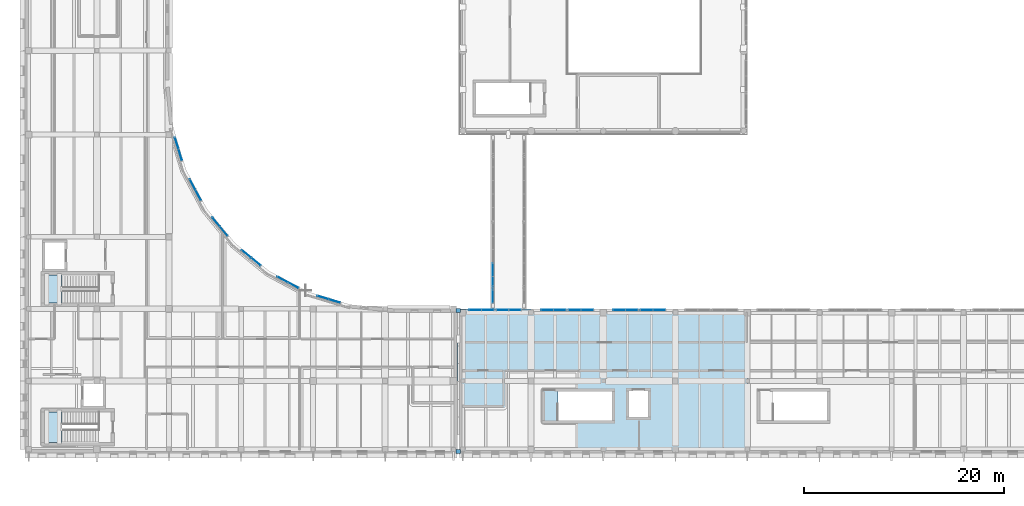
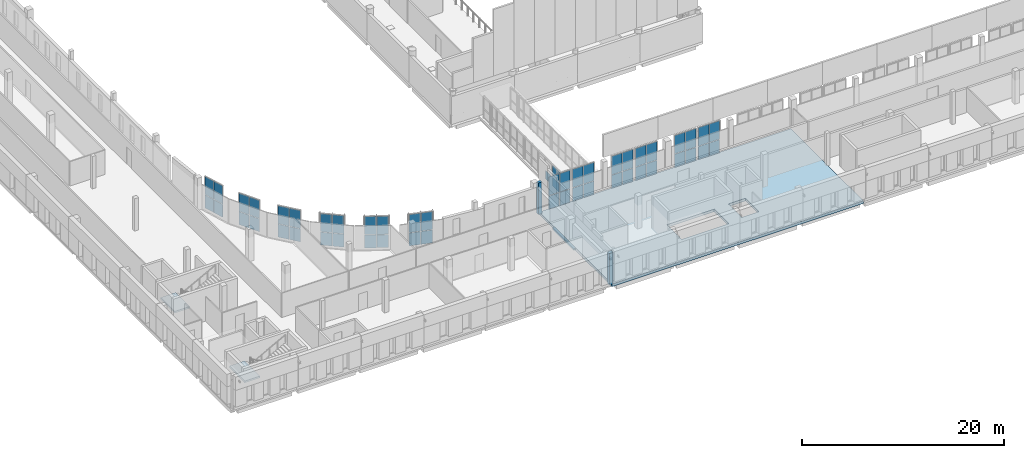
# One storey, part 38 of 76: 55 plates, 4 slabs, 15 elements without a shape of their own.
"""IFC4 building model written with IfcOpenShell, lengths in metres."""

from ifc_helpers import new_model, si_unit, direction, frame, origin, origin_2d, place, context, subcontext, project, spatial, polyline, rectangle, outline, extrude, material, layer, layer_set, type_object, element, aggregate, save


model = new_model("IFC4")

# Units and contexts
model_context = context("Model", 3, precision=1e-05, world=origin(), true_north=direction((0.0, 1.0)))
body_context = subcontext(model_context, "Body", "Model", "MODEL_VIEW")
ifc_project = project(units=[si_unit("LENGTHUNIT", "METRE"), si_unit("AREAUNIT", "SQUARE_METRE"), si_unit("VOLUMEUNIT", "CUBIC_METRE"), si_unit("PLANEANGLEUNIT", "RADIAN"), si_unit("MASSUNIT", "GRAM", prefix="KILO")], contexts=[model_context])

# Site, building, storey
site_placement = place(None, origin())
site = spatial("IfcSite", under=ifc_project, at=site_placement, CompositionType="ELEMENT")
building_placement = place(site_placement, origin())
building = spatial("IfcBuilding", under=site, at=building_placement, Name="Vardoun Plaza Health Centre", CompositionType="ELEMENT")
storey_placement = place(building_placement, frame((0.0, 0.0, 4.5)))
storey = spatial("IfcBuildingStorey", under=building, at=storey_placement, Name="L01", CompositionType="ELEMENT", Elevation=4.5)

# Curtain wall, plates
ifc_material_1 = material(Name="Aluminium Alloy EN AW-6063-T6 and Low-E Glass", Category="aluminium")
ifc_layer_1 = layer(ifc_material_1, 0.159912109375)
ifc_layer_set_1 = layer_set([ifc_layer_1], Name="Aluminium Alloy EN AW-6063-T6 and Low-E Glass")
curtain_wall_type_1 = type_object("IfcCurtainWallType", Name="CW-02", PredefinedType="USERDEFINED", material=ifc_layer_set_1)
curtain_wall_1_placement = place(storey_placement, origin())
curtain_wall_1 = element("IfcCurtainWall", 1, at=curtain_wall_1_placement, inside=storey, type_object=curtain_wall_type_1, Name="Curtain Wall CW-V2-039", ObjectType="COURTYARD_CURTAIN_WALL", PredefinedType="USERDEFINED")
ifc_material_2 = material(Name="Solar-Control Double Low-E Glazing", Category="glass")
ifc_layer_2 = layer(ifc_material_2, 0.028076171875)
ifc_layer_set_2 = layer_set([ifc_layer_2], Name="Solar-Control Double Low-E Glazing")
plate_type_1 = type_object("IfcPlateType", Name="CW-P1", PredefinedType="CURTAIN_PANEL", material=ifc_layer_set_2)
plate_1_placement = place(storey_placement, frame((19.68115234375, 35.44677734375, 0.06005859375), z_axis=(0.0, 0.0, 1.0), x_axis=(0.290300428595, -0.956935557474, 0.0)))
plate_1 = element("IfcPlate", 2, at=plate_1_placement, type_object=plate_type_1, Name="CW-V2-039 panel 1.1", PredefinedType="CURTAIN_PANEL", context=body_context, shape_type="SweptSolid", body=[
    extrude(rectangle(XDim=1.155517578125, YDim=0.028076171875, at=origin_2d()), origin(), (0.0, 0.0, 1.0), 1.556396484375),
])
plate_2_placement = place(storey_placement, frame((19.68115234375, 35.44677734375, 1.676513671875), z_axis=(0.0, 0.0, 1.0), x_axis=(0.290300428595, -0.956935557474, 0.0)))
plate_2 = element("IfcPlate", 3, at=plate_2_placement, type_object=plate_type_1, Name="CW-V2-039 panel 1.2", PredefinedType="CURTAIN_PANEL", context=body_context, shape_type="SweptSolid", body=[
    extrude(rectangle(XDim=1.155517578125, YDim=0.028076171875, at=origin_2d()), origin(), (0.0, 0.0, 1.0), 2.18359375),
])
plate_3_placement = place(storey_placement, frame((20.0341796875, 34.28369140625, 0.06005859375), z_axis=(0.0, 0.0, 1.0), x_axis=(0.290300428595, -0.956935557474, 0.0)))
plate_3 = element("IfcPlate", 4, at=plate_3_placement, type_object=plate_type_1, Name="CW-V2-039 panel 2.1", PredefinedType="CURTAIN_PANEL", context=body_context, shape_type="SweptSolid", body=[
    extrude(rectangle(XDim=1.155517578125, YDim=0.028076171875, at=origin_2d()), origin(), (0.0, 0.0, 1.0), 1.556396484375),
])
plate_4_placement = place(storey_placement, frame((20.0341796875, 34.28369140625, 1.676513671875), z_axis=(0.0, 0.0, 1.0), x_axis=(0.290300428595, -0.956935557474, 0.0)))
plate_4 = element("IfcPlate", 5, at=plate_4_placement, type_object=plate_type_1, Name="CW-V2-039 panel 2.2", PredefinedType="CURTAIN_PANEL", context=body_context, shape_type="SweptSolid", body=[
    extrude(rectangle(XDim=1.155517578125, YDim=0.028076171875, at=origin_2d()), origin(), (0.0, 0.0, 1.0), 2.18359375),
])
aggregate(curtain_wall_1, [plate_1, plate_2, plate_3, plate_4])

curtain_wall_2_placement = place(storey_placement, origin())
curtain_wall_2 = element("IfcCurtainWall", 6, at=curtain_wall_2_placement, inside=storey, type_object=curtain_wall_type_1, Name="Curtain Wall CW-V2-040", ObjectType="COURTYARD_CURTAIN_WALL", PredefinedType="USERDEFINED")
plate_5_placement = place(storey_placement, frame((21.260009765625, 31.323974609375, 0.06005859375), z_axis=(0.0, 0.0, 1.0), x_axis=(0.471394500535, -0.881922459667, 0.0)))
plate_5 = element("IfcPlate", 7, at=plate_5_placement, type_object=plate_type_1, Name="CW-V2-040 panel 1.1", PredefinedType="CURTAIN_PANEL", context=body_context, shape_type="SweptSolid", body=[
    extrude(rectangle(XDim=1.1552734375, YDim=0.028076171875, at=origin_2d()), origin(), (0.0, 0.0, 1.0), 1.556396484375),
])
plate_6_placement = place(storey_placement, frame((21.260009765625, 31.323974609375, 1.676513671875), z_axis=(0.0, 0.0, 1.0), x_axis=(0.471394500535, -0.881922459667, 0.0)))
plate_6 = element("IfcPlate", 8, at=plate_6_placement, type_object=plate_type_1, Name="CW-V2-040 panel 1.2", PredefinedType="CURTAIN_PANEL", context=body_context, shape_type="SweptSolid", body=[
    extrude(rectangle(XDim=1.1552734375, YDim=0.028076171875, at=origin_2d()), origin(), (0.0, 0.0, 1.0), 2.18359375),
])
plate_7_placement = place(storey_placement, frame((21.8330078125, 30.252197265625, 0.06005859375), z_axis=(0.0, 0.0, 1.0), x_axis=(0.471394500535, -0.881922459667, 0.0)))
plate_7 = element("IfcPlate", 9, at=plate_7_placement, type_object=plate_type_1, Name="CW-V2-040 panel 2.1", PredefinedType="CURTAIN_PANEL", context=body_context, shape_type="SweptSolid", body=[
    extrude(rectangle(XDim=1.1552734375, YDim=0.028076171875, at=origin_2d()), origin(), (0.0, 0.0, 1.0), 1.556396484375),
])
plate_8_placement = place(storey_placement, frame((21.8330078125, 30.252197265625, 1.676513671875), z_axis=(0.0, 0.0, 1.0), x_axis=(0.471394500535, -0.881922459667, 0.0)))
plate_8 = element("IfcPlate", 10, at=plate_8_placement, type_object=plate_type_1, Name="CW-V2-040 panel 2.2", PredefinedType="CURTAIN_PANEL", context=body_context, shape_type="SweptSolid", body=[
    extrude(rectangle(XDim=1.1552734375, YDim=0.028076171875, at=origin_2d()), origin(), (0.0, 0.0, 1.0), 2.18359375),
])
aggregate(curtain_wall_2, [plate_5, plate_6, plate_7, plate_8])

curtain_wall_3_placement = place(storey_placement, origin())
curtain_wall_3 = element("IfcCurtainWall", 11, at=curtain_wall_3_placement, inside=storey, type_object=curtain_wall_type_1, Name="Curtain Wall CW-V2-041", ObjectType="COURTYARD_CURTAIN_WALL", PredefinedType="USERDEFINED")
plate_9_placement = place(storey_placement, frame((23.61279296875, 27.588623046875, 0.06005859375), z_axis=(0.0, 0.0, 1.0), x_axis=(0.634384900919, -0.773017333238, 0.0)))
plate_9 = element("IfcPlate", 12, at=plate_9_placement, type_object=plate_type_1, Name="CW-V2-041 panel 1.1", PredefinedType="CURTAIN_PANEL", context=body_context, shape_type="SweptSolid", body=[
    extrude(rectangle(XDim=1.1552734375, YDim=0.028076171875, at=origin_2d()), origin(), (0.0, 0.0, 1.0), 1.556396484375),
])
plate_10_placement = place(storey_placement, frame((23.61279296875, 27.588623046875, 1.676513671875), z_axis=(0.0, 0.0, 1.0), x_axis=(0.634384900919, -0.773017333238, 0.0)))
plate_10 = element("IfcPlate", 13, at=plate_10_placement, type_object=plate_type_1, Name="CW-V2-041 panel 1.2", PredefinedType="CURTAIN_PANEL", context=body_context, shape_type="SweptSolid", body=[
    extrude(rectangle(XDim=1.1552734375, YDim=0.028076171875, at=origin_2d()), origin(), (0.0, 0.0, 1.0), 2.18359375),
])
plate_11_placement = place(storey_placement, frame((24.3837890625, 26.64892578125, 0.06005859375), z_axis=(0.0, 0.0, 1.0), x_axis=(0.634384900919, -0.773017333238, 0.0)))
plate_11 = element("IfcPlate", 14, at=plate_11_placement, type_object=plate_type_1, Name="CW-V2-041 panel 2.1", PredefinedType="CURTAIN_PANEL", context=body_context, shape_type="SweptSolid", body=[
    extrude(rectangle(XDim=1.1552734375, YDim=0.028076171875, at=origin_2d()), origin(), (0.0, 0.0, 1.0), 1.556396484375),
])
plate_12_placement = place(storey_placement, frame((24.3837890625, 26.64892578125, 1.676513671875), z_axis=(0.0, 0.0, 1.0), x_axis=(0.634384900919, -0.773017333238, 0.0)))
plate_12 = element("IfcPlate", 15, at=plate_12_placement, type_object=plate_type_1, Name="CW-V2-041 panel 2.2", PredefinedType="CURTAIN_PANEL", context=body_context, shape_type="SweptSolid", body=[
    extrude(rectangle(XDim=1.1552734375, YDim=0.028076171875, at=origin_2d()), origin(), (0.0, 0.0, 1.0), 2.18359375),
])
aggregate(curtain_wall_3, [plate_9, plate_10, plate_11, plate_12])

curtain_wall_4_placement = place(storey_placement, origin())
curtain_wall_4 = element("IfcCurtainWall", 16, at=curtain_wall_4_placement, inside=storey, type_object=curtain_wall_type_1, Name="Curtain Wall CW-V2-042", ObjectType="COURTYARD_CURTAIN_WALL", PredefinedType="USERDEFINED")
plate_13_placement = place(storey_placement, frame((26.64892578125, 24.3837890625, 0.06005859375), z_axis=(0.0, 0.0, 1.0), x_axis=(0.773017333238, -0.634384900919, 0.0)))
plate_13 = element("IfcPlate", 17, at=plate_13_placement, type_object=plate_type_1, Name="CW-V2-042 panel 1.1", PredefinedType="CURTAIN_PANEL", context=body_context, shape_type="SweptSolid", body=[
    extrude(rectangle(XDim=1.1552734375, YDim=0.028076171875, at=origin_2d()), origin(), (0.0, 0.0, 1.0), 1.556396484375),
])
plate_14_placement = place(storey_placement, frame((26.64892578125, 24.3837890625, 1.676513671875), z_axis=(0.0, 0.0, 1.0), x_axis=(0.773017333238, -0.634384900919, 0.0)))
plate_14 = element("IfcPlate", 18, at=plate_14_placement, type_object=plate_type_1, Name="CW-V2-042 panel 1.2", PredefinedType="CURTAIN_PANEL", context=body_context, shape_type="SweptSolid", body=[
    extrude(rectangle(XDim=1.1552734375, YDim=0.028076171875, at=origin_2d()), origin(), (0.0, 0.0, 1.0), 2.18359375),
])
plate_15_placement = place(storey_placement, frame((27.588623046875, 23.61279296875, 0.06005859375), z_axis=(0.0, 0.0, 1.0), x_axis=(0.773017333238, -0.634384900919, 0.0)))
plate_15 = element("IfcPlate", 19, at=plate_15_placement, type_object=plate_type_1, Name="CW-V2-042 panel 2.1", PredefinedType="CURTAIN_PANEL", context=body_context, shape_type="SweptSolid", body=[
    extrude(rectangle(XDim=1.1552734375, YDim=0.028076171875, at=origin_2d()), origin(), (0.0, 0.0, 1.0), 1.556396484375),
])
plate_16_placement = place(storey_placement, frame((27.588623046875, 23.61279296875, 1.676513671875), z_axis=(0.0, 0.0, 1.0), x_axis=(0.773017333238, -0.634384900919, 0.0)))
plate_16 = element("IfcPlate", 20, at=plate_16_placement, type_object=plate_type_1, Name="CW-V2-042 panel 2.2", PredefinedType="CURTAIN_PANEL", context=body_context, shape_type="SweptSolid", body=[
    extrude(rectangle(XDim=1.1552734375, YDim=0.028076171875, at=origin_2d()), origin(), (0.0, 0.0, 1.0), 2.18359375),
])
aggregate(curtain_wall_4, [plate_13, plate_14, plate_15, plate_16])

curtain_wall_5_placement = place(storey_placement, origin())
curtain_wall_5 = element("IfcCurtainWall", 21, at=curtain_wall_5_placement, inside=storey, type_object=curtain_wall_type_1, Name="Curtain Wall CW-V2-043", ObjectType="COURTYARD_CURTAIN_WALL", PredefinedType="USERDEFINED")
plate_17_placement = place(storey_placement, frame((30.252197265625, 21.8330078125, 0.06005859375), z_axis=(0.0, 0.0, 1.0), x_axis=(0.881922459667, -0.471394500535, 0.0)))
plate_17 = element("IfcPlate", 22, at=plate_17_placement, type_object=plate_type_1, Name="CW-V2-043 panel 1.1", PredefinedType="CURTAIN_PANEL", context=body_context, shape_type="SweptSolid", body=[
    extrude(rectangle(XDim=1.1552734375, YDim=0.028076171875, at=origin_2d()), origin(), (0.0, 0.0, 1.0), 1.556396484375),
])
plate_18_placement = place(storey_placement, frame((30.252197265625, 21.8330078125, 1.676513671875), z_axis=(0.0, 0.0, 1.0), x_axis=(0.881922459667, -0.471394500535, 0.0)))
plate_18 = element("IfcPlate", 23, at=plate_18_placement, type_object=plate_type_1, Name="CW-V2-043 panel 1.2", PredefinedType="CURTAIN_PANEL", context=body_context, shape_type="SweptSolid", body=[
    extrude(rectangle(XDim=1.1552734375, YDim=0.028076171875, at=origin_2d()), origin(), (0.0, 0.0, 1.0), 2.18359375),
])
plate_19_placement = place(storey_placement, frame((31.323974609375, 21.260009765625, 0.06005859375), z_axis=(0.0, 0.0, 1.0), x_axis=(0.881922459667, -0.471394500535, 0.0)))
plate_19 = element("IfcPlate", 24, at=plate_19_placement, type_object=plate_type_1, Name="CW-V2-043 panel 2.1", PredefinedType="CURTAIN_PANEL", context=body_context, shape_type="SweptSolid", body=[
    extrude(rectangle(XDim=1.1552734375, YDim=0.028076171875, at=origin_2d()), origin(), (0.0, 0.0, 1.0), 1.556396484375),
])
plate_20_placement = place(storey_placement, frame((31.323974609375, 21.260009765625, 1.676513671875), z_axis=(0.0, 0.0, 1.0), x_axis=(0.881922459667, -0.471394500535, 0.0)))
plate_20 = element("IfcPlate", 25, at=plate_20_placement, type_object=plate_type_1, Name="CW-V2-043 panel 2.2", PredefinedType="CURTAIN_PANEL", context=body_context, shape_type="SweptSolid", body=[
    extrude(rectangle(XDim=1.1552734375, YDim=0.028076171875, at=origin_2d()), origin(), (0.0, 0.0, 1.0), 2.18359375),
])
aggregate(curtain_wall_5, [plate_17, plate_18, plate_19, plate_20])

curtain_wall_6_placement = place(storey_placement, origin())
curtain_wall_6 = element("IfcCurtainWall", 26, at=curtain_wall_6_placement, inside=storey, type_object=curtain_wall_type_1, Name="Curtain Wall CW-V2-044", ObjectType="COURTYARD_CURTAIN_WALL", PredefinedType="USERDEFINED")
plate_21_placement = place(storey_placement, frame((34.28369140625, 20.0341796875, 0.06005859375), z_axis=(0.0, 0.0, 1.0), x_axis=(0.956935557474, -0.290300428595, 0.0)))
plate_21 = element("IfcPlate", 27, at=plate_21_placement, type_object=plate_type_1, Name="CW-V2-044 panel 1.1", PredefinedType="CURTAIN_PANEL", context=body_context, shape_type="SweptSolid", body=[
    extrude(rectangle(XDim=1.155517578125, YDim=0.028076171875, at=origin_2d()), origin(), (0.0, 0.0, 1.0), 1.556396484375),
])
plate_22_placement = place(storey_placement, frame((34.28369140625, 20.0341796875, 1.676513671875), z_axis=(0.0, 0.0, 1.0), x_axis=(0.956935557474, -0.290300428595, 0.0)))
plate_22 = element("IfcPlate", 28, at=plate_22_placement, type_object=plate_type_1, Name="CW-V2-044 panel 1.2", PredefinedType="CURTAIN_PANEL", context=body_context, shape_type="SweptSolid", body=[
    extrude(rectangle(XDim=1.155517578125, YDim=0.028076171875, at=origin_2d()), origin(), (0.0, 0.0, 1.0), 2.18359375),
])
plate_23_placement = place(storey_placement, frame((35.44677734375, 19.68115234375, 0.06005859375), z_axis=(0.0, 0.0, 1.0), x_axis=(0.956935557474, -0.290300428595, 0.0)))
plate_23 = element("IfcPlate", 29, at=plate_23_placement, type_object=plate_type_1, Name="CW-V2-044 panel 2.1", PredefinedType="CURTAIN_PANEL", context=body_context, shape_type="SweptSolid", body=[
    extrude(rectangle(XDim=1.155517578125, YDim=0.028076171875, at=origin_2d()), origin(), (0.0, 0.0, 1.0), 1.556396484375),
])
plate_24_placement = place(storey_placement, frame((35.44677734375, 19.68115234375, 1.676513671875), z_axis=(0.0, 0.0, 1.0), x_axis=(0.956935557474, -0.290300428595, 0.0)))
plate_24 = element("IfcPlate", 30, at=plate_24_placement, type_object=plate_type_1, Name="CW-V2-044 panel 2.2", PredefinedType="CURTAIN_PANEL", context=body_context, shape_type="SweptSolid", body=[
    extrude(rectangle(XDim=1.155517578125, YDim=0.028076171875, at=origin_2d()), origin(), (0.0, 0.0, 1.0), 2.18359375),
])
aggregate(curtain_wall_6, [plate_21, plate_22, plate_23, plate_24])

ifc_material_3 = material(Name="Aluminium Alloy EN AW-6063-T6 and Low-E Glass", Category="aluminium")
ifc_layer_3 = layer(ifc_material_3, 0.14990234375)
ifc_layer_set_3 = layer_set([ifc_layer_3], Name="Aluminium Alloy EN AW-6063-T6 and Low-E Glass")
curtain_wall_type_2 = type_object("IfcCurtainWallType", Name="CW-03", PredefinedType="NOTDEFINED", material=ifc_layer_set_3)
curtain_wall_7_placement = place(storey_placement, origin())
curtain_wall_7 = element("IfcCurtainWall", 31, at=curtain_wall_7_placement, inside=storey, type_object=curtain_wall_type_2, Name="Curtain Wall CW-V4-117", PredefinedType="NOTDEFINED")
plate_25_placement = place(storey_placement, frame((49.4951171875, 18.780029296875, 0.06005859375), z_axis=(0.0, 0.0, 1.0), x_axis=(1.0, 0.0, 0.0)))
plate_25 = element("IfcPlate", 32, at=plate_25_placement, type_object=plate_type_1, Name="CW-V4-117 panel 1.1", PredefinedType="CURTAIN_PANEL", context=body_context, shape_type="SweptSolid", body=[
    extrude(rectangle(XDim=1.18994140625, YDim=0.028076171875, at=origin_2d()), origin(), (0.0, 0.0, 1.0), 1.587890625),
])
plate_26_placement = place(storey_placement, frame((49.4951171875, 18.780029296875, 1.7080078125), z_axis=(0.0, 0.0, 1.0), x_axis=(1.0, 0.0, 0.0)))
plate_26 = element("IfcPlate", 33, at=plate_26_placement, type_object=plate_type_1, Name="CW-V4-117 panel 1.2", PredefinedType="CURTAIN_PANEL", context=body_context, shape_type="SweptSolid", body=[
    extrude(rectangle(XDim=1.18994140625, YDim=0.028076171875, at=origin_2d()), origin(), (0.0, 0.0, 1.0), 2.22705078125),
])
plate_27_placement = place(storey_placement, frame((50.7451171875, 18.780029296875, 0.06005859375), z_axis=(0.0, 0.0, 1.0), x_axis=(1.0, 0.0, 0.0)))
plate_27 = element("IfcPlate", 34, at=plate_27_placement, type_object=plate_type_1, Name="CW-V4-117 panel 2.1", PredefinedType="CURTAIN_PANEL", context=body_context, shape_type="SweptSolid", body=[
    extrude(rectangle(XDim=1.18994140625, YDim=0.028076171875, at=origin_2d()), origin(), (0.0, 0.0, 1.0), 1.587890625),
])
plate_28_placement = place(storey_placement, frame((50.7451171875, 18.780029296875, 1.7080078125), z_axis=(0.0, 0.0, 1.0), x_axis=(1.0, 0.0, 0.0)))
plate_28 = element("IfcPlate", 35, at=plate_28_placement, type_object=plate_type_1, Name="CW-V4-117 panel 2.2", PredefinedType="CURTAIN_PANEL", context=body_context, shape_type="SweptSolid", body=[
    extrude(rectangle(XDim=1.18994140625, YDim=0.028076171875, at=origin_2d()), origin(), (0.0, 0.0, 1.0), 2.22705078125),
])
aggregate(curtain_wall_7, [plate_25, plate_26, plate_27, plate_28])

curtain_wall_8_placement = place(storey_placement, origin())
curtain_wall_8 = element("IfcCurtainWall", 36, at=curtain_wall_8_placement, inside=storey, type_object=curtain_wall_type_2, Name="Curtain Wall CW-V4-118", PredefinedType="NOTDEFINED")
plate_29_placement = place(storey_placement, frame((52.215087890625, 18.780029296875, 0.06005859375), z_axis=(0.0, 0.0, 1.0), x_axis=(1.0, 0.0, 0.0)))
plate_29 = element("IfcPlate", 37, at=plate_29_placement, type_object=plate_type_1, Name="CW-V4-118 panel 1.1", PredefinedType="CURTAIN_PANEL", context=body_context, shape_type="SweptSolid", body=[
    extrude(rectangle(XDim=1.18994140625, YDim=0.028076171875, at=origin_2d()), origin(), (0.0, 0.0, 1.0), 1.587890625),
])
plate_30_placement = place(storey_placement, frame((52.215087890625, 18.780029296875, 1.7080078125), z_axis=(0.0, 0.0, 1.0), x_axis=(1.0, 0.0, 0.0)))
plate_30 = element("IfcPlate", 38, at=plate_30_placement, type_object=plate_type_1, Name="CW-V4-118 panel 1.2", PredefinedType="CURTAIN_PANEL", context=body_context, shape_type="SweptSolid", body=[
    extrude(rectangle(XDim=1.18994140625, YDim=0.028076171875, at=origin_2d()), origin(), (0.0, 0.0, 1.0), 2.22705078125),
])
plate_31_placement = place(storey_placement, frame((53.465087890625, 18.780029296875, 0.06005859375), z_axis=(0.0, 0.0, 1.0), x_axis=(1.0, 0.0, 0.0)))
plate_31 = element("IfcPlate", 39, at=plate_31_placement, type_object=plate_type_1, Name="CW-V4-118 panel 2.1", PredefinedType="CURTAIN_PANEL", context=body_context, shape_type="SweptSolid", body=[
    extrude(rectangle(XDim=1.18994140625, YDim=0.028076171875, at=origin_2d()), origin(), (0.0, 0.0, 1.0), 1.587890625),
])
plate_32_placement = place(storey_placement, frame((53.465087890625, 18.780029296875, 1.7080078125), z_axis=(0.0, 0.0, 1.0), x_axis=(1.0, 0.0, 0.0)))
plate_32 = element("IfcPlate", 40, at=plate_32_placement, type_object=plate_type_1, Name="CW-V4-118 panel 2.2", PredefinedType="CURTAIN_PANEL", context=body_context, shape_type="SweptSolid", body=[
    extrude(rectangle(XDim=1.18994140625, YDim=0.028076171875, at=origin_2d()), origin(), (0.0, 0.0, 1.0), 2.22705078125),
])
aggregate(curtain_wall_8, [plate_29, plate_30, plate_31, plate_32])

curtain_wall_9_placement = place(storey_placement, origin())
curtain_wall_9 = element("IfcCurtainWall", 41, at=curtain_wall_9_placement, inside=storey, type_object=curtain_wall_type_2, Name="Curtain Wall CW-V4-119", PredefinedType="NOTDEFINED")
plate_33_placement = place(storey_placement, frame((56.695068359375, 18.780029296875, 0.06005859375), z_axis=(0.0, 0.0, 1.0), x_axis=(1.0, 0.0, 0.0)))
plate_33 = element("IfcPlate", 42, at=plate_33_placement, type_object=plate_type_1, Name="CW-V4-119 panel 1.1", PredefinedType="CURTAIN_PANEL", context=body_context, shape_type="SweptSolid", body=[
    extrude(rectangle(XDim=1.18994140625, YDim=0.028076171875, at=origin_2d()), origin(), (0.0, 0.0, 1.0), 1.587890625),
])
plate_34_placement = place(storey_placement, frame((56.695068359375, 18.780029296875, 1.7080078125), z_axis=(0.0, 0.0, 1.0), x_axis=(1.0, 0.0, 0.0)))
plate_34 = element("IfcPlate", 43, at=plate_34_placement, type_object=plate_type_1, Name="CW-V4-119 panel 1.2", PredefinedType="CURTAIN_PANEL", context=body_context, shape_type="SweptSolid", body=[
    extrude(rectangle(XDim=1.18994140625, YDim=0.028076171875, at=origin_2d()), origin(), (0.0, 0.0, 1.0), 2.22705078125),
])
plate_35_placement = place(storey_placement, frame((57.945068359375, 18.780029296875, 0.06005859375), z_axis=(0.0, 0.0, 1.0), x_axis=(1.0, 0.0, 0.0)))
plate_35 = element("IfcPlate", 44, at=plate_35_placement, type_object=plate_type_1, Name="CW-V4-119 panel 2.1", PredefinedType="CURTAIN_PANEL", context=body_context, shape_type="SweptSolid", body=[
    extrude(rectangle(XDim=1.18994140625, YDim=0.028076171875, at=origin_2d()), origin(), (0.0, 0.0, 1.0), 1.587890625),
])
plate_36_placement = place(storey_placement, frame((57.945068359375, 18.780029296875, 1.7080078125), z_axis=(0.0, 0.0, 1.0), x_axis=(1.0, 0.0, 0.0)))
plate_36 = element("IfcPlate", 45, at=plate_36_placement, type_object=plate_type_1, Name="CW-V4-119 panel 2.2", PredefinedType="CURTAIN_PANEL", context=body_context, shape_type="SweptSolid", body=[
    extrude(rectangle(XDim=1.18994140625, YDim=0.028076171875, at=origin_2d()), origin(), (0.0, 0.0, 1.0), 2.22705078125),
])
aggregate(curtain_wall_9, [plate_33, plate_34, plate_35, plate_36])

curtain_wall_10_placement = place(storey_placement, origin())
curtain_wall_10 = element("IfcCurtainWall", 46, at=curtain_wall_10_placement, inside=storey, type_object=curtain_wall_type_2, Name="Curtain Wall CW-V4-120", PredefinedType="NOTDEFINED")
plate_37_placement = place(storey_placement, frame((59.4150390625, 18.780029296875, 0.06005859375), z_axis=(0.0, 0.0, 1.0), x_axis=(1.0, 0.0, 0.0)))
plate_37 = element("IfcPlate", 47, at=plate_37_placement, type_object=plate_type_1, Name="CW-V4-120 panel 1.1", PredefinedType="CURTAIN_PANEL", context=body_context, shape_type="SweptSolid", body=[
    extrude(rectangle(XDim=1.18994140625, YDim=0.028076171875, at=origin_2d()), origin(), (0.0, 0.0, 1.0), 1.587890625),
])
plate_38_placement = place(storey_placement, frame((59.4150390625, 18.780029296875, 1.7080078125), z_axis=(0.0, 0.0, 1.0), x_axis=(1.0, 0.0, 0.0)))
plate_38 = element("IfcPlate", 48, at=plate_38_placement, type_object=plate_type_1, Name="CW-V4-120 panel 1.2", PredefinedType="CURTAIN_PANEL", context=body_context, shape_type="SweptSolid", body=[
    extrude(rectangle(XDim=1.18994140625, YDim=0.028076171875, at=origin_2d()), origin(), (0.0, 0.0, 1.0), 2.22705078125),
])
plate_39_placement = place(storey_placement, frame((60.6650390625, 18.780029296875, 0.06005859375), z_axis=(0.0, 0.0, 1.0), x_axis=(1.0, 0.0, 0.0)))
plate_39 = element("IfcPlate", 49, at=plate_39_placement, type_object=plate_type_1, Name="CW-V4-120 panel 2.1", PredefinedType="CURTAIN_PANEL", context=body_context, shape_type="SweptSolid", body=[
    extrude(rectangle(XDim=1.18994140625, YDim=0.028076171875, at=origin_2d()), origin(), (0.0, 0.0, 1.0), 1.587890625),
])
plate_40_placement = place(storey_placement, frame((60.6650390625, 18.780029296875, 1.7080078125), z_axis=(0.0, 0.0, 1.0), x_axis=(1.0, 0.0, 0.0)))
plate_40 = element("IfcPlate", 50, at=plate_40_placement, type_object=plate_type_1, Name="CW-V4-120 panel 2.2", PredefinedType="CURTAIN_PANEL", context=body_context, shape_type="SweptSolid", body=[
    extrude(rectangle(XDim=1.18994140625, YDim=0.028076171875, at=origin_2d()), origin(), (0.0, 0.0, 1.0), 2.22705078125),
])
aggregate(curtain_wall_10, [plate_37, plate_38, plate_39, plate_40])

curtain_wall_11_placement = place(storey_placement, origin())
curtain_wall_11 = element("IfcCurtainWall", 51, at=curtain_wall_11_placement, inside=storey, type_object=curtain_wall_type_2, Name="Curtain Wall CW-V4-121", PredefinedType="NOTDEFINED")
plate_41_placement = place(storey_placement, frame((63.89501953125, 18.780029296875, 0.06005859375), z_axis=(0.0, 0.0, 1.0), x_axis=(1.0, 0.0, 0.0)))
plate_41 = element("IfcPlate", 52, at=plate_41_placement, type_object=plate_type_1, Name="CW-V4-121 panel 1.1", PredefinedType="CURTAIN_PANEL", context=body_context, shape_type="SweptSolid", body=[
    extrude(rectangle(XDim=1.18994140625, YDim=0.028076171875, at=origin_2d()), origin(), (0.0, 0.0, 1.0), 1.587890625),
])
plate_42_placement = place(storey_placement, frame((63.89501953125, 18.780029296875, 1.7080078125), z_axis=(0.0, 0.0, 1.0), x_axis=(1.0, 0.0, 0.0)))
plate_42 = element("IfcPlate", 53, at=plate_42_placement, type_object=plate_type_1, Name="CW-V4-121 panel 1.2", PredefinedType="CURTAIN_PANEL", context=body_context, shape_type="SweptSolid", body=[
    extrude(rectangle(XDim=1.18994140625, YDim=0.028076171875, at=origin_2d()), origin(), (0.0, 0.0, 1.0), 2.22705078125),
])
plate_43_placement = place(storey_placement, frame((65.14501953125, 18.780029296875, 0.06005859375), z_axis=(0.0, 0.0, 1.0), x_axis=(1.0, 0.0, 0.0)))
plate_43 = element("IfcPlate", 54, at=plate_43_placement, type_object=plate_type_1, Name="CW-V4-121 panel 2.1", PredefinedType="CURTAIN_PANEL", context=body_context, shape_type="SweptSolid", body=[
    extrude(rectangle(XDim=1.18994140625, YDim=0.028076171875, at=origin_2d()), origin(), (0.0, 0.0, 1.0), 1.587890625),
])
plate_44_placement = place(storey_placement, frame((65.14501953125, 18.780029296875, 1.7080078125), z_axis=(0.0, 0.0, 1.0), x_axis=(1.0, 0.0, 0.0)))
plate_44 = element("IfcPlate", 55, at=plate_44_placement, type_object=plate_type_1, Name="CW-V4-121 panel 2.2", PredefinedType="CURTAIN_PANEL", context=body_context, shape_type="SweptSolid", body=[
    extrude(rectangle(XDim=1.18994140625, YDim=0.028076171875, at=origin_2d()), origin(), (0.0, 0.0, 1.0), 2.22705078125),
])
aggregate(curtain_wall_11, [plate_41, plate_42, plate_43, plate_44])

curtain_wall_12_placement = place(storey_placement, origin())
curtain_wall_12 = element("IfcCurtainWall", 56, at=curtain_wall_12_placement, inside=storey, type_object=curtain_wall_type_2, Name="Curtain Wall CW-V4-122", PredefinedType="NOTDEFINED")
plate_45_placement = place(storey_placement, frame((66.614990234375, 18.780029296875, 0.06005859375), z_axis=(0.0, 0.0, 1.0), x_axis=(1.0, 0.0, 0.0)))
plate_45 = element("IfcPlate", 57, at=plate_45_placement, type_object=plate_type_1, Name="CW-V4-122 panel 1.1", PredefinedType="CURTAIN_PANEL", context=body_context, shape_type="SweptSolid", body=[
    extrude(rectangle(XDim=1.18994140625, YDim=0.028076171875, at=origin_2d()), origin(), (0.0, 0.0, 1.0), 1.587890625),
])
plate_46_placement = place(storey_placement, frame((66.614990234375, 18.780029296875, 1.7080078125), z_axis=(0.0, 0.0, 1.0), x_axis=(1.0, 0.0, 0.0)))
plate_46 = element("IfcPlate", 58, at=plate_46_placement, type_object=plate_type_1, Name="CW-V4-122 panel 1.2", PredefinedType="CURTAIN_PANEL", context=body_context, shape_type="SweptSolid", body=[
    extrude(rectangle(XDim=1.18994140625, YDim=0.028076171875, at=origin_2d()), origin(), (0.0, 0.0, 1.0), 2.22705078125),
])
plate_47_placement = place(storey_placement, frame((67.864990234375, 18.780029296875, 0.06005859375), z_axis=(0.0, 0.0, 1.0), x_axis=(1.0, 0.0, 0.0)))
plate_47 = element("IfcPlate", 59, at=plate_47_placement, type_object=plate_type_1, Name="CW-V4-122 panel 2.1", PredefinedType="CURTAIN_PANEL", context=body_context, shape_type="SweptSolid", body=[
    extrude(rectangle(XDim=1.18994140625, YDim=0.028076171875, at=origin_2d()), origin(), (0.0, 0.0, 1.0), 1.587890625),
])
plate_48_placement = place(storey_placement, frame((67.864990234375, 18.780029296875, 1.7080078125), z_axis=(0.0, 0.0, 1.0), x_axis=(1.0, 0.0, 0.0)))
plate_48 = element("IfcPlate", 60, at=plate_48_placement, type_object=plate_type_1, Name="CW-V4-122 panel 2.2", PredefinedType="CURTAIN_PANEL", context=body_context, shape_type="SweptSolid", body=[
    extrude(rectangle(XDim=1.18994140625, YDim=0.028076171875, at=origin_2d()), origin(), (0.0, 0.0, 1.0), 2.22705078125),
])
aggregate(curtain_wall_12, [plate_45, plate_46, plate_47, plate_48])

curtain_wall_13_placement = place(storey_placement, origin())
curtain_wall_13 = element("IfcCurtainWall", 61, at=curtain_wall_13_placement, inside=storey, type_object=curtain_wall_type_2, Name="Curtain Wall CW-BR-6WS", PredefinedType="NOTDEFINED")
plate_49_placement = place(storey_placement, frame((51.25, 20.1357421875, 0.06005859375), z_axis=(0.0, 0.0, 1.0), x_axis=(0.0, 1.0, 0.0)))
plate_49 = element("IfcPlate", 62, at=plate_49_placement, type_object=plate_type_1, Name="CW-BR-6WS panel 1.1", PredefinedType="CURTAIN_PANEL", context=body_context, shape_type="SweptSolid", body=[
    extrude(rectangle(XDim=1.251708984375, YDim=0.028076171875, at=origin_2d()), origin(), (0.0, 0.0, 1.0), 1.02294921875),
])
plate_50_placement = place(storey_placement, frame((51.25, 20.1357421875, 1.14306640625), z_axis=(0.0, 0.0, 1.0), x_axis=(0.0, 1.0, 0.0)))
plate_50 = element("IfcPlate", 63, at=plate_50_placement, type_object=plate_type_1, Name="CW-BR-6WS panel 1.2", PredefinedType="CURTAIN_PANEL", context=body_context, shape_type="SweptSolid", body=[
    extrude(rectangle(XDim=1.251708984375, YDim=0.028076171875, at=origin_2d()), origin(), (0.0, 0.0, 1.0), 1.447021484375),
])
plate_51_placement = place(storey_placement, frame((51.25, 21.46240234375, 0.06005859375), z_axis=(0.0, 0.0, 1.0), x_axis=(0.0, 1.0, 0.0)))
plate_51 = element("IfcPlate", 64, at=plate_51_placement, type_object=plate_type_1, Name="CW-BR-6WS panel 2.1", PredefinedType="CURTAIN_PANEL", context=body_context, shape_type="SweptSolid", body=[
    extrude(rectangle(XDim=1.28173828125, YDim=0.028076171875, at=origin_2d()), origin(), (0.0, 0.0, 1.0), 1.02294921875),
])
plate_52_placement = place(storey_placement, frame((51.25, 21.46240234375, 1.14306640625), z_axis=(0.0, 0.0, 1.0), x_axis=(0.0, 1.0, 0.0)))
plate_52 = element("IfcPlate", 65, at=plate_52_placement, type_object=plate_type_1, Name="CW-BR-6WS panel 2.2", PredefinedType="CURTAIN_PANEL", context=body_context, shape_type="SweptSolid", body=[
    extrude(rectangle(XDim=1.28173828125, YDim=0.028076171875, at=origin_2d()), origin(), (0.0, 0.0, 1.0), 1.447021484375),
])
plate_53_placement = place(storey_placement, frame((51.25, 22.80419921875, 0.06005859375), z_axis=(0.0, 0.0, 1.0), x_axis=(0.0, 1.0, 0.0)))
plate_53 = element("IfcPlate", 66, at=plate_53_placement, type_object=plate_type_1, Name="CW-BR-6WS panel 3.1", PredefinedType="CURTAIN_PANEL", context=body_context, shape_type="SweptSolid", body=[
    extrude(rectangle(XDim=1.28173828125, YDim=0.028076171875, at=origin_2d()), origin(), (0.0, 0.0, 1.0), 1.02294921875),
])
aggregate(curtain_wall_13, [plate_49, plate_50, plate_51, plate_52, plate_53])

# Stair, slab
ifc_material_4 = material(Name="Concrete C35/45", Category="concrete")
stair_type = type_object("IfcStairType", Name="ST-01", PredefinedType="HALF_TURN_STAIR", material=ifc_material_4)
stair_1_placement = place(storey_placement, origin())
stair_1 = element("IfcStair", 67, at=stair_1_placement, inside=storey, type_object=stair_type, Name="Core C1 L01 Exit Stair ST-C1-L01", PredefinedType="HALF_TURN_STAIR")
ifc_material_5 = material(Name="Concrete C35/45", Category="concrete")
ifc_layer_4 = layer(ifc_material_5, 0.199951171875)
ifc_layer_set_4 = layer_set([ifc_layer_4], Name="Concrete C35/45")
slab_type_1 = type_object("IfcSlabType", Name="SL-LD", PredefinedType="LANDING", material=ifc_layer_set_4)
slab_1_placement = place(storey_placement, frame((0.0, 0.0, 1.89990234375)))
slab_1 = element("IfcSlab", 68, at=slab_1_placement, type_object=slab_type_1, Name="ST-C1-L01 landing 1", PredefinedType="LANDING", context=body_context, shape_type="SweptSolid", body=[
    extrude(outline(polyline([(6.47509765625, 5.574951171875), (8.210693359375, 5.574951171875), (8.210693359375, 8.625), (6.47509765625, 8.625), (6.47509765625, 5.574951171875)])), origin(), (0.0, 0.0, 1.0), 0.2001953125),
])
aggregate(stair_1, [slab_1])

stair_2_placement = place(storey_placement, origin())
stair_2 = element("IfcStair", 69, at=stair_2_placement, inside=storey, type_object=stair_type, Name="Core C2 L01 Exit Stair ST-C2-L01", PredefinedType="HALF_TURN_STAIR")
slab_2_placement = place(storey_placement, frame((0.0, 0.0, 1.89990234375)))
slab_2 = element("IfcSlab", 70, at=slab_2_placement, type_object=slab_type_1, Name="ST-C2-L01 landing 1", PredefinedType="LANDING", context=body_context, shape_type="SweptSolid", body=[
    extrude(outline(polyline([(6.47509765625, 19.47509765625), (8.210693359375, 19.47509765625), (8.210693359375, 22.27490234375), (6.47509765625, 22.27490234375), (6.47509765625, 19.47509765625)])), origin(), (0.0, 0.0, 1.0), 0.2001953125),
])
aggregate(stair_2, [slab_2])

# Plates
ifc_material_6 = material(Name="Aluminium Alloy EN AW-6063-T6", Category="aluminium")
ifc_layer_5 = layer(ifc_material_6, 0.050048828125)
ifc_layer_set_5 = layer_set([ifc_layer_5], Name="Aluminium Alloy EN AW-6063-T6")
plate_type_2 = type_object("IfcPlateType", Name="SJ-01", PredefinedType="SHEET", material=ifc_layer_set_5)
for number, where, z_axis, x_axis, name in (
    (71, (47.7900390625, 4.659912109375, 0.0), (0.0, 0.0, 1.0), (1.0, 0.0, 0.0), "Seismic Joint Facade Cover SJ-V24-S-L01"),
    (72, (47.7900390625, 18.739990234375, 0.0), (0.0, 0.0, 1.0), (1.0, 0.0, 0.0), "Seismic Joint Facade Cover SJ-V24-N-L01"),
):
    element("IfcPlate", number, at=place(storey_placement, frame(where, z_axis=z_axis, x_axis=x_axis)), inside=storey, type_object=plate_type_2, Name=name, PredefinedType="SHEET", context=body_context, shape_type="SweptSolid", body=[
        extrude(rectangle(XDim=0.419921875, YDim=0.360107421875, at=origin_2d()), origin(), (0.0, 0.0, 1.0), 3.800048828125),
    ])

# Slabs
ifc_material_7 = material(Name="Concrete C35/45", Category="concrete")
ifc_layer_6 = layer(ifc_material_7, 0.219970703125)
ifc_layer_set_6 = layer_set([ifc_layer_6], Name="Concrete C35/45")
slab_type_2 = type_object("IfcSlabType", Name="SL-06", PredefinedType="FLOOR", material=ifc_layer_set_6)
slab_3_placement = place(storey_placement, frame((0.0, 0.0, -0.219970703125)))
element("IfcSlab", 73, at=slab_3_placement, inside=storey, type_object=slab_type_2, Name="Seismic Link Bridge BR-03 Deck", PredefinedType="FLOOR", context=body_context, shape_type="SweptSolid", body=[
    extrude(outline(polyline([(47.679931640625, 11.699951171875), (47.89990234375, 11.699951171875), (47.89990234375, 15.89990234375), (47.679931640625, 15.89990234375), (47.679931640625, 11.699951171875)])), origin(), (0.0, 0.0, 1.0), 0.219970703125),
])
ifc_material_8 = material(Name="Concrete C35/45", Category="concrete")
ifc_layer_7 = layer(ifc_material_8, 0.31494140625)
ifc_layer_set_7 = layer_set([ifc_layer_7], Name="Concrete C35/45")
slab_type_3 = type_object("IfcSlabType", Name="SL-05", PredefinedType="FLOOR", material=ifc_layer_set_7)
slab_4_placement = place(storey_placement, frame((0.0, 0.0, -0.31494140625)))
element("IfcSlab", 74, at=slab_4_placement, inside=storey, type_object=slab_type_3, Name="V4 L01 Structural Slab A", PredefinedType="FLOOR", context=body_context, shape_type="SweptSolid", body=[
    extrude(outline(polyline([(47.8798828125, 4.5), (76.679931640625, 4.5), (76.679931640625, 18.89990234375), (47.8798828125, 18.89990234375), (47.8798828125, 4.5)]), holes=[polyline([(57.75048828125, 7.75), (63.14990234375, 7.75), (63.14990234375, 10.64990234375), (57.75048828125, 10.64990234375), (57.75048828125, 7.75)]), polyline([(64.820068359375, 8.070068359375), (66.780029296875, 8.070068359375), (66.780029296875, 10.72998046875), (64.820068359375, 10.72998046875), (64.820068359375, 8.070068359375)])]), origin(), (0.0, 0.0, 1.0), 0.31494140625),
])

save(model, "model.ifc")
